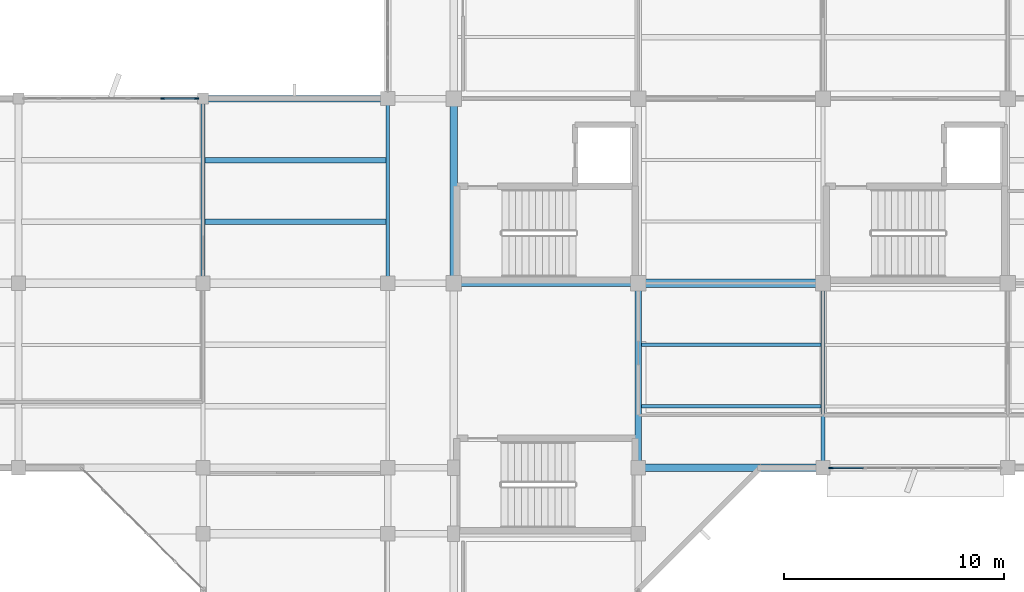
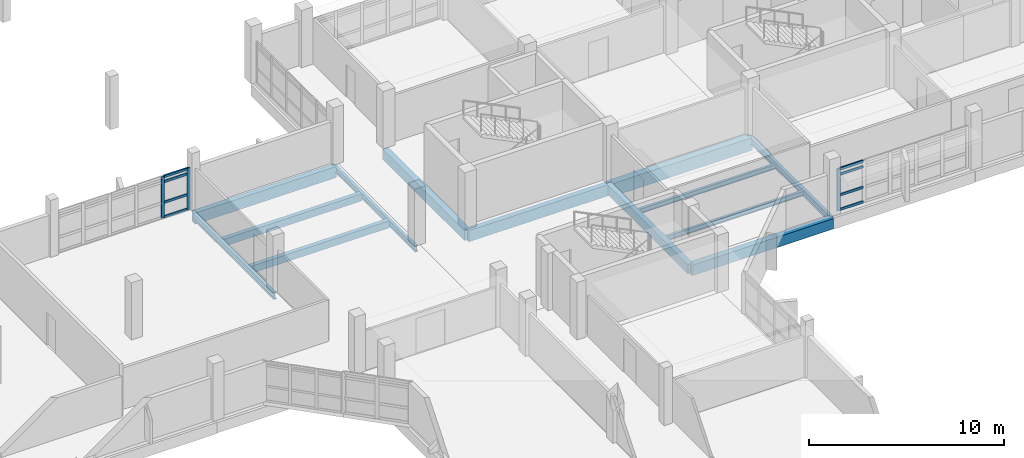
# One storey, part 38 of 104: 13 beams, 11 members, 2 elements without a shape of their own.
"""IFC4 building model written with IfcOpenShell, lengths in metres."""

from ifc_helpers import new_model, si_unit, direction, frame, origin, origin_2d, place, context, subcontext, project, spatial, rectangle, i_section, extrude, material, material_profile, profile_set, type_object, element, aggregate, save


model = new_model("IFC4")

# Units and contexts
model_context = context("Model", 3, precision=1e-05, world=origin(), true_north=direction((0.0, 1.0)))
body_context = subcontext(model_context, "Body", "Model", "MODEL_VIEW")
ifc_project = project(units=[si_unit("LENGTHUNIT", "METRE"), si_unit("AREAUNIT", "SQUARE_METRE"), si_unit("VOLUMEUNIT", "CUBIC_METRE"), si_unit("PLANEANGLEUNIT", "RADIAN"), si_unit("MASSUNIT", "GRAM", prefix="KILO")], contexts=[model_context])

# Site, building, storey
site_placement = place(None, origin())
site = spatial("IfcSite", under=ifc_project, at=site_placement, CompositionType="ELEMENT")
building_placement = place(site_placement, origin())
building = spatial("IfcBuilding", under=site, at=building_placement, Name="Vanh Quang Courtyard School", CompositionType="ELEMENT")
storey_placement = place(building_placement, frame((0.0, 0.0, 4.199951171875)))
storey = spatial("IfcBuildingStorey", under=building, at=storey_placement, Name="L01", CompositionType="ELEMENT", Elevation=4.199951171875)

# Beams
ifc_material_1 = material(Name="Concrete C35/45", Category="concrete")
ifc_material_profile_1 = material_profile(ifc_material_1, rectangle(XDim=0.300048828125, YDim=0.60009765625, at=origin_2d()), Name="RC-BM 300x600")
ifc_profile_set_1 = profile_set([ifc_material_profile_1], Name="Concrete C35/45")
beam_type_1 = type_object("IfcBeamType", Name="BM-RC-300x600", PredefinedType="BEAM", material=ifc_profile_set_1)
beam_1_placement = place(storey_placement, frame((85.800048828125, 71.39990234375, -0.579833984375), z_axis=(0.0, 1.0, 0.0), x_axis=(-1.0, 0.0, 0.0)))
element("IfcBeam", 1, at=beam_1_placement, inside=storey, type_object=beam_type_1, Name="Beam B-06 (L01)", PredefinedType="BEAM", context=body_context, shape_type="SweptSolid", body=[
    extrude(rectangle(XDim=0.300048828125, YDim=0.60009765625, at=origin_2d()), origin(), (0.0, 0.0, 1.0), 8.400146484375),
])
ifc_material_profile_2 = material_profile(ifc_material_1, rectangle(XDim=0.35009765625, YDim=0.64990234375, at=origin_2d()), Name="RC-BM 350x650")
ifc_profile_set_2 = profile_set([ifc_material_profile_2], Name="Concrete C35/45")
beam_type_2 = type_object("IfcBeamType", Name="BM-RC-350x650", PredefinedType="BEAM", material=ifc_profile_set_2)
for number, where, z_axis, x_axis, name in (
    (2, (85.800048828125, 71.39990234375, -0.60498046875), (1.0, 0.0, 0.0), (0.0, 1.0, 0.0), "Beam B-05 (L01)"),
    (3, (77.39990234375, 79.800048828125, -0.60498046875), (0.0, 1.0, 0.0), (-1.0, 0.0, 0.0), "Beam B-05 (L01)"),
):
    element("IfcBeam", number, at=place(storey_placement, frame(where, z_axis=z_axis, x_axis=x_axis)), inside=storey, type_object=beam_type_2, Name=name, PredefinedType="BEAM", context=body_context, shape_type="SweptSolid", body=[
        extrude(rectangle(XDim=0.35009765625, YDim=0.64990234375, at=origin_2d()), origin(), (0.0, 0.0, 1.0), 8.39990234375),
    ])
ifc_material_profile_3 = material_profile(ifc_material_1, rectangle(XDim=0.39990234375, YDim=0.800048828125, at=origin_2d()), Name="RC-BM 400x800")
ifc_profile_set_3 = profile_set([ifc_material_profile_3], Name="Concrete C35/45")
beam_type_3 = type_object("IfcBeamType", Name="BM-RC-400x800", PredefinedType="BEAM", material=ifc_profile_set_3)
beam_2_placement = place(storey_placement, frame((85.800048828125, 79.800048828125, -0.679931640625), z_axis=(1.0, 0.0, 0.0), x_axis=(0.0, 1.0, 0.0)))
element("IfcBeam", 4, at=beam_2_placement, inside=storey, type_object=beam_type_3, Name="Beam B-02 (L01)", PredefinedType="BEAM", context=body_context, shape_type="SweptSolid", body=[
    extrude(rectangle(XDim=0.39990234375, YDim=0.800048828125, at=origin_2d()), origin(), (0.0, 0.0, 1.0), 8.39990234375),
])
ifc_material_profile_4 = material_profile(ifc_material_1, rectangle(XDim=0.300048828125, YDim=0.699951171875, at=origin_2d()), Name="RC-SP 300x700")
ifc_profile_set_4 = profile_set([ifc_material_profile_4], Name="Concrete C35/45")
beam_type_4 = type_object("IfcBeamType", Name="BM-SP-300x700", PredefinedType="SPANDREL", material=ifc_profile_set_4)
beam_3_placement = place(storey_placement, frame((77.39990234375, 79.800048828125, -0.6298828125), z_axis=(1.0, 0.0, 0.0), x_axis=(0.0, 1.0, 0.0)))
element("IfcBeam", 5, at=beam_3_placement, inside=storey, type_object=beam_type_4, Name="Beam BS-01 (L01)", PredefinedType="SPANDREL", context=body_context, shape_type="SweptSolid", body=[
    extrude(rectangle(XDim=0.300048828125, YDim=0.699951171875, at=origin_2d()), origin(), (0.0, 0.0, 1.0), 8.400146484375),
])
beam_4_placement = place(storey_placement, frame((66.0, 88.199951171875, -0.6298828125), z_axis=(1.0, 0.0, 0.0), x_axis=(0.0, 1.0, 0.0)))
element("IfcBeam", 6, at=beam_4_placement, inside=storey, type_object=beam_type_4, Name="Beam BS-01 (L01)", PredefinedType="SPANDREL", context=body_context, shape_type="SweptSolid", body=[
    extrude(rectangle(XDim=0.300048828125, YDim=0.699951171875, at=origin_2d()), origin(), (0.0, 0.0, 1.0), 8.39990234375),
])
ifc_material_2 = material(Name="Structural steel EN 10025-2 S355J2", Category="steel")
ifc_material_profile_5 = material_profile(ifc_material_2, i_section(OverallWidth=0.169921875, OverallDepth=0.360107421875, WebThickness=0.008056640625, FlangeThickness=0.0126953125, FilletRadius=0.01806640625, at=origin_2d()), Name="IPE 360")
ifc_profile_set_5 = profile_set([ifc_material_profile_5], Name="Structural steel EN 10025-2 S355J2")
beam_type_5 = type_object("IfcBeamType", Name="BM-STL-IPE360", PredefinedType="BEAM", material=ifc_profile_set_5)
beam_5_placement = place(storey_placement, frame((74.39990234375, 79.800048828125, -0.4599609375), z_axis=(0.0, 1.0, 0.0), x_axis=(-1.0, 0.0, 0.0)))
element("IfcBeam", 7, at=beam_5_placement, inside=storey, type_object=beam_type_5, Name="Beam SB-06 (L01)", PredefinedType="BEAM", context=body_context, shape_type="SweptSolid", body=[
    extrude(i_section(OverallWidth=0.169921875, OverallDepth=0.360107421875, WebThickness=0.008056640625, FlangeThickness=0.0126953125, FilletRadius=0.01806640625, at=origin_2d()), origin(), (0.0, 0.0, 1.0), 8.39990234375),
])
ifc_material_profile_6 = material_profile(ifc_material_2, i_section(OverallWidth=0.179931640625, OverallDepth=0.39990234375, WebThickness=0.008544921875, FlangeThickness=0.013427734375, FilletRadius=0.02099609375, at=origin_2d()), Name="IPE 400")
ifc_profile_set_6 = profile_set([ifc_material_profile_6], Name="Structural steel EN 10025-2 S355J2")
beam_type_6 = type_object("IfcBeamType", Name="BM-STL-IPE400", PredefinedType="BEAM", material=ifc_profile_set_6)
beam_6_placement = place(storey_placement, frame((66.0, 79.800048828125, -0.47998046875), z_axis=(0.0, 1.0, 0.0), x_axis=(-1.0, 0.0, 0.0)))
element("IfcBeam", 8, at=beam_6_placement, inside=storey, type_object=beam_type_6, Name="Beam SB-05 (L01)", PredefinedType="BEAM", context=body_context, shape_type="SweptSolid", body=[
    extrude(i_section(OverallWidth=0.179931640625, OverallDepth=0.39990234375, WebThickness=0.008544921875, FlangeThickness=0.013427734375, FilletRadius=0.02099609375, at=origin_2d()), origin(), (0.0, 0.0, 1.0), 8.39990234375),
])
beam_7_placement = place(storey_placement, frame((94.199951171875, 71.39990234375, -0.47998046875), z_axis=(0.0, 1.0, 0.0), x_axis=(-1.0, 0.0, 0.0)))
element("IfcBeam", 9, at=beam_7_placement, inside=storey, type_object=beam_type_6, Name="Beam SB-05 (L01)", PredefinedType="BEAM", context=body_context, shape_type="SweptSolid", body=[
    extrude(i_section(OverallWidth=0.179931640625, OverallDepth=0.39990234375, WebThickness=0.008544921875, FlangeThickness=0.013427734375, FilletRadius=0.02099609375, at=origin_2d()), origin(), (0.0, 0.0, 1.0), 8.400146484375),
])

# Curtain wall, members
ifc_material_3 = material(Name="Thermally broken aluminium unitised curtain wall", Category="aluminium")
curtain_wall_type_1 = type_object("IfcCurtainWallType", Name="CW-SYS-19", PredefinedType="NOTDEFINED", material=ifc_material_3)
curtain_wall_1_placement = place(storey_placement, origin())
curtain_wall_1 = element("IfcCurtainWall", 10, at=curtain_wall_1_placement, inside=storey, type_object=curtain_wall_type_1, Name="Curtain Wall CW-19 (L01)", PredefinedType="NOTDEFINED")
ifc_material_4 = material(Name="Anodised aluminium 6063-T6", Category="aluminium")
ifc_material_profile_7 = material_profile(ifc_material_4, rectangle(XDim=0.080078125, YDim=0.199951171875, at=origin_2d()), Name="ALU-MUL 80x200")
ifc_profile_set_7 = profile_set([ifc_material_profile_7], Name="Anodised aluminium 6063-T6")
member_type_1 = type_object("IfcMemberType", Name="CW-MUL-80x200", PredefinedType="MULLION", material=ifc_profile_set_7)
member_1_placement = place(storey_placement, frame((64.165283203125, 88.199951171875, 0.0), z_axis=(0.0, 0.0, 1.0), x_axis=(0.0, 1.0, 0.0)))
member_1 = element("IfcMember", 11, at=member_1_placement, type_object=member_type_1, Name="CW-19 mullion 5", PredefinedType="MULLION", context=body_context, shape_type="SweptSolid", body=[
    extrude(rectangle(XDim=0.080078125, YDim=0.199951171875, at=origin_2d()), origin(), (0.0, 0.0, 1.0), 2.60009765625),
])
member_2_placement = place(storey_placement, frame((65.701904296875, 88.199951171875, 0.0), z_axis=(0.0, 0.0, 1.0), x_axis=(0.0, 1.0, 0.0)))
member_2 = element("IfcMember", 12, at=member_2_placement, type_object=member_type_1, Name="CW-19 mullion 6", PredefinedType="MULLION", context=body_context, shape_type="SweptSolid", body=[
    extrude(rectangle(XDim=0.080078125, YDim=0.199951171875, at=origin_2d()), origin(), (0.0, 0.0, 1.0), 2.60009765625),
])

# Curtain wall, member
curtain_wall_type_2 = type_object("IfcCurtainWallType", Name="CW-SYS-21", PredefinedType="NOTDEFINED", material=ifc_material_3)
curtain_wall_2_placement = place(storey_placement, origin())
curtain_wall_2 = element("IfcCurtainWall", 13, at=curtain_wall_2_placement, inside=storey, type_object=curtain_wall_type_2, Name="Curtain Wall CW-21 (L01)", PredefinedType="NOTDEFINED")
member_3_placement = place(storey_placement, frame((94.572998046875, 71.39990234375, 0.0), z_axis=(0.0, 0.0, 1.0), x_axis=(0.0, -1.0, 0.0)))
member_3 = element("IfcMember", 14, at=member_3_placement, type_object=member_type_1, Name="CW-21 mullion 6", PredefinedType="MULLION", context=body_context, shape_type="SweptSolid", body=[
    extrude(rectangle(XDim=0.080078125, YDim=0.199951171875, at=origin_2d()), origin(), (0.0, 0.0, 1.0), 2.6201171875),
])

# Member
ifc_material_profile_8 = material_profile(ifc_material_4, rectangle(XDim=0.080078125, YDim=0.14990234375, at=origin_2d()), Name="ALU-TRN 80x150")
ifc_profile_set_8 = profile_set([ifc_material_profile_8], Name="Anodised aluminium 6063-T6")
member_type_2 = type_object("IfcMemberType", Name="CW-TRN-80x150", PredefinedType="USERDEFINED", material=ifc_profile_set_8)
member_4_placement = place(storey_placement, frame((64.205078125, 88.199951171875, 0.0400390625), z_axis=(1.0, 0.0, 0.0), x_axis=(0.0, 1.0, 0.0)))
member_4 = element("IfcMember", 15, at=member_4_placement, type_object=member_type_2, Name="CW-19 transom 5.1", ObjectType="TRANSOM", PredefinedType="USERDEFINED", context=body_context, shape_type="SweptSolid", body=[
    extrude(rectangle(XDim=0.080078125, YDim=0.14990234375, at=origin_2d()), origin(), (0.0, 0.0, 1.0), 1.45703125),
])

member_5_placement = place(storey_placement, frame((64.205078125, 88.199951171875, 0.949951171875), z_axis=(1.0, 0.0, 0.0), x_axis=(0.0, 1.0, 0.0)))
member_5 = element("IfcMember", 16, at=member_5_placement, type_object=member_type_2, Name="CW-19 transom 5.2", ObjectType="TRANSOM", PredefinedType="USERDEFINED", context=body_context, shape_type="SweptSolid", body=[
    extrude(rectangle(XDim=0.080078125, YDim=0.14990234375, at=origin_2d()), origin(), (0.0, 0.0, 1.0), 1.45703125),
])

member_6_placement = place(storey_placement, frame((64.205078125, 88.199951171875, 2.25), z_axis=(1.0, 0.0, 0.0), x_axis=(0.0, 1.0, 0.0)))
member_6 = element("IfcMember", 17, at=member_6_placement, type_object=member_type_2, Name="CW-19 transom 5.3", ObjectType="TRANSOM", PredefinedType="USERDEFINED", context=body_context, shape_type="SweptSolid", body=[
    extrude(rectangle(XDim=0.080078125, YDim=0.14990234375, at=origin_2d()), origin(), (0.0, 0.0, 1.0), 1.45703125),
])

member_7_placement = place(storey_placement, frame((64.205078125, 88.199951171875, 2.56005859375), z_axis=(1.0, 0.0, 0.0), x_axis=(0.0, 1.0, 0.0)))
member_7 = element("IfcMember", 18, at=member_7_placement, type_object=member_type_2, Name="CW-19 transom 5.4", ObjectType="TRANSOM", PredefinedType="USERDEFINED", context=body_context, shape_type="SweptSolid", body=[
    extrude(rectangle(XDim=0.080078125, YDim=0.14990234375, at=origin_2d()), origin(), (0.0, 0.0, 1.0), 1.45703125),
])

aggregate(curtain_wall_1, [member_1, member_2, member_4, member_5, member_6, member_7])

member_8_placement = place(storey_placement, frame((96.039794921875, 71.39990234375, 0.0400390625), z_axis=(-1.0, 0.0, 0.0), x_axis=(0.0, -1.0, 0.0)))
member_8 = element("IfcMember", 19, at=member_8_placement, type_object=member_type_2, Name="CW-21 transom 5.1", ObjectType="TRANSOM", PredefinedType="USERDEFINED", context=body_context, shape_type="SweptSolid", body=[
    extrude(rectangle(XDim=0.080078125, YDim=0.14990234375, at=origin_2d()), origin(), (0.0, 0.0, 1.0), 1.4267578125),
])

member_9_placement = place(storey_placement, frame((96.039794921875, 71.39990234375, 0.949951171875), z_axis=(-1.0, 0.0, 0.0), x_axis=(0.0, -1.0, 0.0)))
member_9 = element("IfcMember", 20, at=member_9_placement, type_object=member_type_2, Name="CW-21 transom 5.2", ObjectType="TRANSOM", PredefinedType="USERDEFINED", context=body_context, shape_type="SweptSolid", body=[
    extrude(rectangle(XDim=0.080078125, YDim=0.14990234375, at=origin_2d()), origin(), (0.0, 0.0, 1.0), 1.4267578125),
])

member_10_placement = place(storey_placement, frame((96.039794921875, 71.39990234375, 2.25), z_axis=(-1.0, 0.0, 0.0), x_axis=(0.0, -1.0, 0.0)))
member_10 = element("IfcMember", 21, at=member_10_placement, type_object=member_type_2, Name="CW-21 transom 5.3", ObjectType="TRANSOM", PredefinedType="USERDEFINED", context=body_context, shape_type="SweptSolid", body=[
    extrude(rectangle(XDim=0.080078125, YDim=0.14990234375, at=origin_2d()), origin(), (0.0, 0.0, 1.0), 1.4267578125),
])

member_11_placement = place(storey_placement, frame((96.039794921875, 71.39990234375, 2.580078125), z_axis=(-1.0, 0.0, 0.0), x_axis=(0.0, -1.0, 0.0)))
member_11 = element("IfcMember", 22, at=member_11_placement, type_object=member_type_2, Name="CW-21 transom 5.4", ObjectType="TRANSOM", PredefinedType="USERDEFINED", context=body_context, shape_type="SweptSolid", body=[
    extrude(rectangle(XDim=0.080078125, YDim=0.14990234375, at=origin_2d()), origin(), (0.0, 0.0, 1.0), 1.4267578125),
])

aggregate(curtain_wall_2, [member_3, member_8, member_9, member_10, member_11])

# Beams
ifc_material_5 = material(Name="Concrete C30/37", Category="concrete")
ifc_material_profile_9 = material_profile(ifc_material_5, rectangle(XDim=0.25, YDim=0.449951171875, at=origin_2d()), Name="RC-JST 250x450")
ifc_profile_set_9 = profile_set([ifc_material_profile_9], Name="Concrete C30/37")
beam_type_7 = type_object("IfcBeamType", Name="JST-RC-250x450", PredefinedType="JOIST", material=ifc_profile_set_9)
for number, where, z_axis, x_axis, name in (
    (23, (66.090087890625, 82.60009765625, -0.5048828125), (1.0, 0.0, 0.0), (0.0, 1.0, 0.0), "Beam BJ-02 (L01)"),
    (24, (66.090087890625, 85.39990234375, -0.5048828125), (1.0, 0.0, 0.0), (0.0, 1.0, 0.0), "Beam BJ-02 (L01)"),
):
    element("IfcBeam", number, at=place(storey_placement, frame(where, z_axis=z_axis, x_axis=x_axis)), inside=storey, type_object=beam_type_7, Name=name, PredefinedType="JOIST", context=body_context, shape_type="SweptSolid", body=[
        extrude(rectangle(XDim=0.25, YDim=0.449951171875, at=origin_2d()), origin(), (0.0, 0.0, 1.0), 8.224853515625),
    ])
ifc_material_profile_10 = material_profile(ifc_material_2, i_section(OverallWidth=0.14990234375, OverallDepth=0.300048828125, WebThickness=0.007080078125, FlangeThickness=0.0107421875, FilletRadius=0.014892578125, at=origin_2d()), Name="IPE 300")
ifc_profile_set_10 = profile_set([ifc_material_profile_10], Name="Structural steel EN 10025-2 S355J2")
beam_type_8 = type_object("IfcBeamType", Name="JST-STL-IPE300", PredefinedType="JOIST", material=ifc_profile_set_10)
for number, where, z_axis, x_axis, name in (
    (25, (85.949951171875, 74.199951171875, -0.429931640625), (1.0, 0.0, 0.0), (0.0, 1.0, 0.0), "Beam SJ-02 (L01)"),
    (26, (85.949951171875, 77.0, -0.429931640625), (1.0, 0.0, 0.0), (0.0, 1.0, 0.0), "Beam SJ-02 (L01)"),
):
    element("IfcBeam", number, at=place(storey_placement, frame(where, z_axis=z_axis, x_axis=x_axis)), inside=storey, type_object=beam_type_8, Name=name, PredefinedType="JOIST", context=body_context, shape_type="SweptSolid", body=[
        extrude(i_section(OverallWidth=0.14990234375, OverallDepth=0.300048828125, WebThickness=0.007080078125, FlangeThickness=0.0107421875, FilletRadius=0.014892578125, at=origin_2d()), origin(), (0.0, 0.0, 1.0), 8.16015625),
    ])

save(model, "model.ifc")
